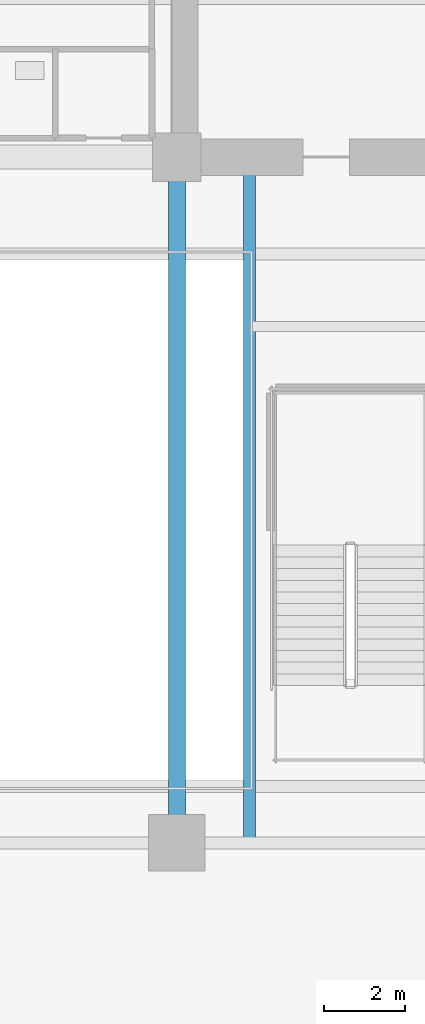
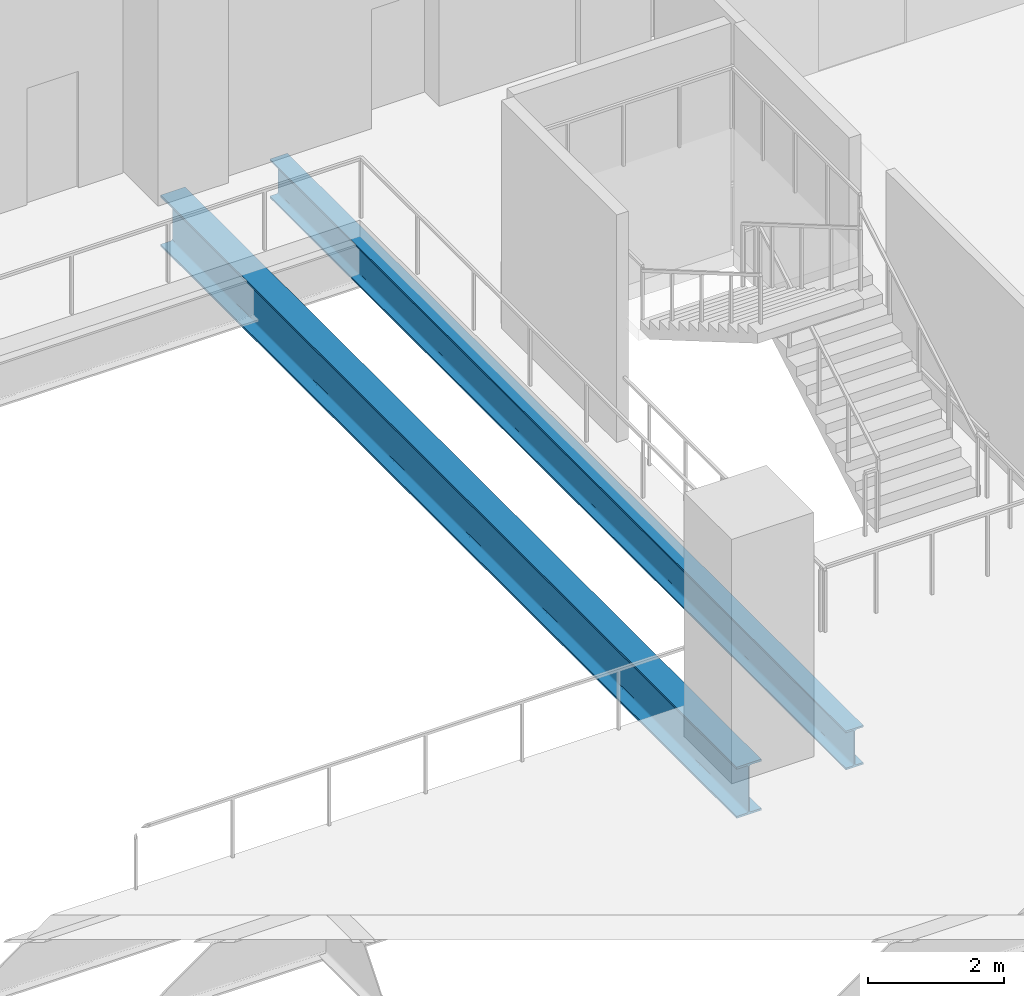
# One storey, part 5 of 22: 2 beams.
"""IFC4 building model written with IfcOpenShell, lengths in metres."""

from ifc_helpers import new_model, si_unit, direction, frame, origin, origin_2d, place, context, subcontext, project, spatial, i_section, extrude, material, material_profile, profile_set, type_object, element, save


model = new_model("IFC4")

# Units and contexts
model_context = context("Model", 3, precision=1e-05, world=origin(), true_north=direction((0.0, 1.0)))
body_context = subcontext(model_context, "Body", "Model", "MODEL_VIEW")
ifc_project = project(units=[si_unit("LENGTHUNIT", "METRE"), si_unit("AREAUNIT", "SQUARE_METRE"), si_unit("VOLUMEUNIT", "CUBIC_METRE"), si_unit("PLANEANGLEUNIT", "RADIAN"), si_unit("MASSUNIT", "GRAM", prefix="KILO")], contexts=[model_context])

# Site, building, storey
site_placement = place(None, origin())
site = spatial("IfcSite", under=ifc_project, at=site_placement, CompositionType="ELEMENT")
building_placement = place(site_placement, origin())
building = spatial("IfcBuilding", under=site, at=building_placement, Name="Zarnakvel Exchange Tower", CompositionType="ELEMENT")
storey_placement = place(building_placement, frame((0.0, 0.0, 9.39990234375)))
storey = spatial("IfcBuildingStorey", under=building, at=storey_placement, Name="L02", CompositionType="ELEMENT", Elevation=9.39990234375)

# Beams
ifc_material = material(Name="Steel S355", Category="steel")
ifc_material_profile_1 = material_profile(ifc_material, i_section(OverallWidth=0.300048828125, OverallDepth=0.699951171875, WebThickness=0.01708984375, FlangeThickness=0.031982421875, FilletRadius=0.027099609375, at=origin_2d()))
ifc_profile_set_1 = profile_set([ifc_material_profile_1], Name="Steel S355")
beam_type_1 = type_object("IfcBeamType", Name="G-03", PredefinedType="BEAM", material=ifc_profile_set_1)
beam_1_placement = place(storey_placement, frame((9.0, -18.199951171875, -0.64990234375), z_axis=(0.0, 1.0, 0.0), x_axis=(-1.0, 0.0, 0.0)))
element("IfcBeam", 1, at=beam_1_placement, inside=storey, type_object=beam_type_1, Name="L02 Atrium East Edge Girder", PredefinedType="BEAM", context=body_context, shape_type="SweptSolid", body=[
    extrude(i_section(OverallWidth=0.300048828125, OverallDepth=0.699951171875, WebThickness=0.01708984375, FlangeThickness=0.031982421875, FilletRadius=0.027099609375, at=origin_2d()), origin(), (0.0, 0.0, 1.0), 17.0),
])
ifc_material_profile_2 = material_profile(ifc_material, i_section(OverallWidth=0.42041015625, OverallDepth=0.9208984375, WebThickness=0.021484375, FlangeThickness=0.03662109375, FilletRadius=0.024169921875, at=origin_2d()))
ifc_profile_set_2 = profile_set([ifc_material_profile_2], Name="Steel S355")
beam_type_2 = type_object("IfcBeamType", Name="TB-01", PredefinedType="T_BEAM", material=ifc_profile_set_2)
beam_2_placement = place(storey_placement, frame((7.199951171875, -18.199951171875, -0.760498046875), z_axis=(0.0, 1.0, 0.0), x_axis=(-1.0, 0.0, 0.0)))
element("IfcBeam", 2, at=beam_2_placement, inside=storey, type_object=beam_type_2, Name="L02 Primary N-S Girder X=+7.2", PredefinedType="T_BEAM", context=body_context, shape_type="SweptSolid", body=[
    extrude(i_section(OverallWidth=0.42041015625, OverallDepth=0.9208984375, WebThickness=0.021484375, FlangeThickness=0.03662109375, FilletRadius=0.024169921875, at=origin_2d()), origin(), (0.0, 0.0, 1.0), 17.0),
])

save(model, "model.ifc")
